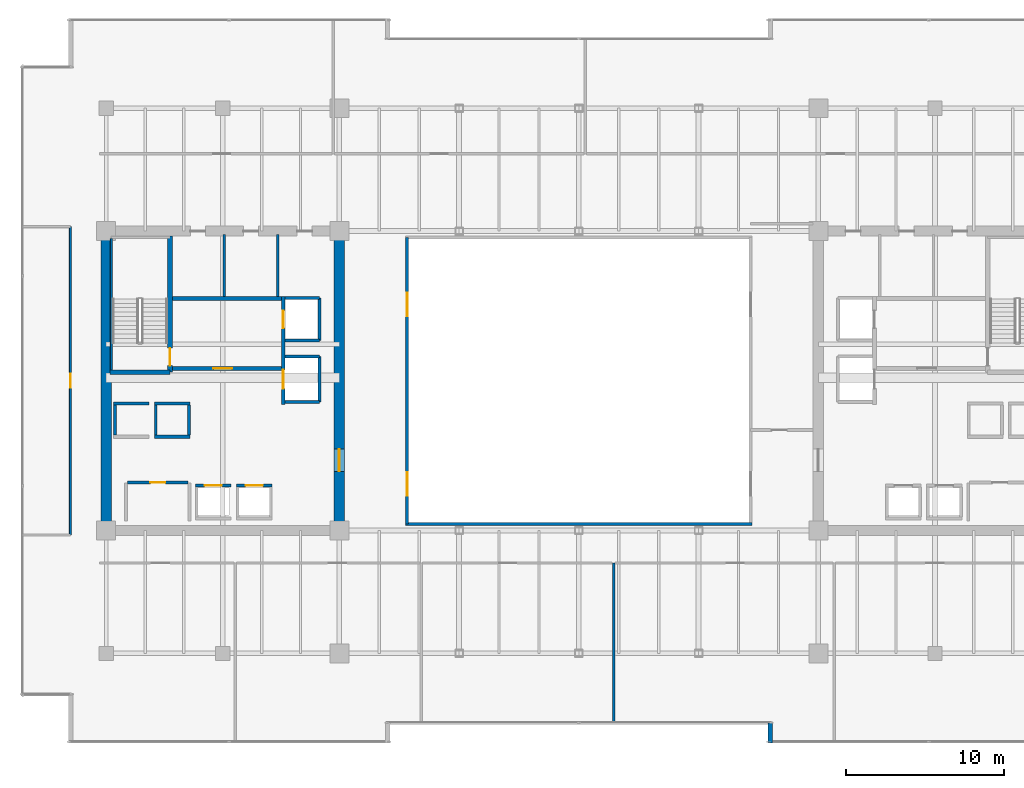
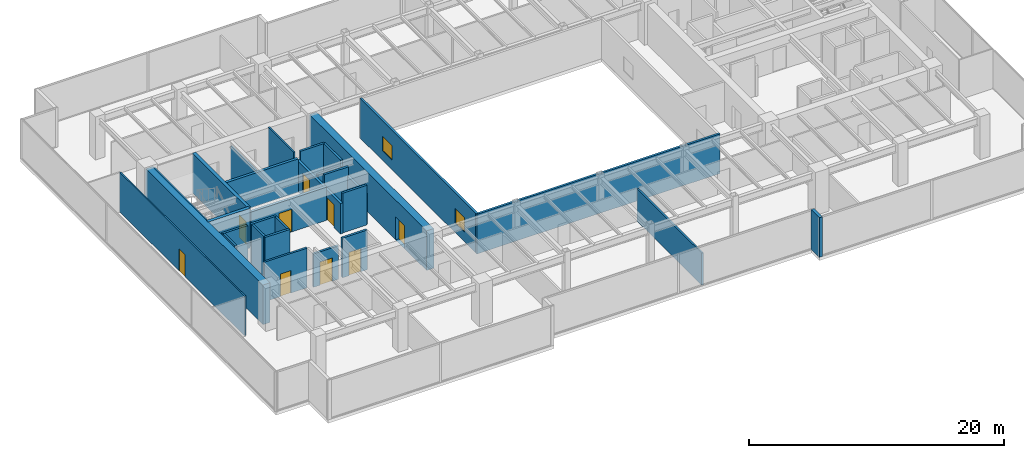
# One storey, part 25 of 30: 30 walls, 9 doors, 2 windows, 11 openings.
"""IFC4 building model written with IfcOpenShell, lengths in metres."""

from ifc_helpers import new_model, si_unit, direction, frame, frame_2d, origin, place, context, subcontext, project, spatial, rectangle, extrude, source, transform, mapped, material, layer, layer_set, type_object, type_shapes, element, fill, save


model = new_model("IFC4")

# Units and contexts
model_context = context("Model", 3, precision=1e-05, world=origin(), true_north=direction((0.0, 1.0)))
body_context = subcontext(model_context, "Body", "Model", "MODEL_VIEW")
ifc_project = project(units=[si_unit("LENGTHUNIT", "METRE"), si_unit("AREAUNIT", "SQUARE_METRE"), si_unit("VOLUMEUNIT", "CUBIC_METRE"), si_unit("PLANEANGLEUNIT", "RADIAN"), si_unit("MASSUNIT", "GRAM", prefix="KILO")], contexts=[model_context])

# Site, building, storey
site_placement = place(None, origin())
site = spatial("IfcSite", under=ifc_project, at=site_placement, CompositionType="ELEMENT")
building_placement = place(site_placement, origin())
building = spatial("IfcBuilding", under=site, at=building_placement, Name="Haelvirn Gate Laboratories", CompositionType="ELEMENT")
storey_placement = place(building_placement, frame((0.0, 0.0, 183.0)))
storey = spatial("IfcBuildingStorey", under=building, at=storey_placement, Name="L44", CompositionType="ELEMENT", Elevation=183.0)

# Walls
ifc_material_1 = material(Name="Thermally-broken bronze aluminium rainscreen & mineral wool", Category="aluminium")
ifc_layer_1 = layer(ifc_material_1, 0.280029296875, Name="EW-TERR-280")
ifc_layer_set_1 = layer_set([ifc_layer_1], Name="Thermally-broken bronze aluminium rainscreen & mineral wool")
wall_type_1 = type_object("IfcWallType", Name="EW-TERR-280", PredefinedType="STANDARD", material=ifc_layer_set_1)
wall_1_placement = place(storey_placement, frame((49.5400390625, 2.587890625, 0.0), z_axis=(0.0, 0.0, 1.0), x_axis=(0.0, -1.0, 0.0)))
element("IfcWall", 1, at=wall_1_placement, inside=storey, type_object=wall_type_1, Name="L44 Atrium Recess Bronze Return Wall 03", PredefinedType="STANDARD", context=body_context, shape_type="SweptSolid", body=[
    extrude(rectangle(XDim=1.287841796875, YDim=0.280029296875, at=frame_2d((0.64404296875, 0.0))), origin(), (0.0, 0.0, 1.0), 3.7900390625),
])
ifc_material_2 = material(Name="Double-layer acoustic gypsum laboratory partition", Category="gypsum")
ifc_layer_2 = layer(ifc_material_2, 0.159912109375, Name="IW-ACOUST-160")
ifc_layer_set_2 = layer_set([ifc_layer_2], Name="Double-layer acoustic gypsum laboratory partition")
wall_type_2 = type_object("IfcWallType", Name="IW-ACOUST-160", PredefinedType="PARTITIONING", material=ifc_layer_set_2)
wall_2_placement = place(storey_placement, frame((39.60009765625, 2.610107421875, 0.0), z_axis=(0.0, 0.0, 1.0), x_axis=(0.0, 1.0, 0.0)))
element("IfcWall", 2, at=wall_2_placement, inside=storey, type_object=wall_type_2, Name="L44 Interior Wall IW-L44-SDIV-03", PredefinedType="PARTITIONING", context=body_context, shape_type="SweptSolid", body=[
    extrude(rectangle(XDim=10.1298828125, YDim=0.159912109375, at=frame_2d((5.06494140625, 0.0))), origin(), (0.0, 0.0, 1.0), 3.074951171875),
])

# Wall, openings, windows
ifc_material_3 = material(Name="Tempered fire-rated borosilicate glass & anodised aluminium", Category="aluminium")
ifc_layer_3 = layer(ifc_material_3, 0.195068359375, Name="IW-GLAZ-200")
ifc_layer_set_3 = layer_set([ifc_layer_3], Name="Tempered fire-rated borosilicate glass & anodised aluminium")
wall_type_3 = type_object("IfcWallType", Name="IW-GLAZ-200", PredefinedType="SOLIDWALL", material=ifc_layer_set_3)
wall_3_placement = place(storey_placement, frame((26.5, 15.199951171875, 0.0), z_axis=(0.0, 0.0, 1.0), x_axis=(0.0, 1.0, 0.0)))
wall_3 = element("IfcWall", 3, at=wall_3_placement, inside=storey, type_object=wall_type_3, Name="L44 Interior Wall IW-L44-ATRIUM-W", PredefinedType="SOLIDWALL", context=body_context, shape_type="SweptSolid", body=[
    extrude(rectangle(XDim=18.199951171875, YDim=0.195068359375, at=frame_2d((9.10009765625, 0.0))), origin(), (0.0, 0.0, 1.0), 3.7900390625),
])
opening_1_placement = place(wall_3_placement, frame((1.800048828125, 0.0, 0.89990234375)))
opening_1 = element("IfcOpeningElement", 4, at=opening_1_placement, cuts=wall_3, Name="Opening W5", PredefinedType="OPENING", context=body_context, shape_type="SweptSolid", body=[
    extrude(rectangle(XDim=1.5, YDim=1.39990234375, at=frame_2d((0.75, 0.699951171875))), frame((0.0, 0.107421875, 0.0), z_axis=(0.0, -1.0, 0.0), x_axis=(1.0, 0.0, 0.0)), (0.0, 0.0, 1.0), 0.215087890625),
])
opening_2_placement = place(wall_3_placement, frame((13.199951171875, 0.0, 0.89990234375)))
opening_2 = element("IfcOpeningElement", 5, at=opening_2_placement, cuts=wall_3, Name="Opening W5", PredefinedType="OPENING", context=body_context, shape_type="SweptSolid", body=[
    extrude(rectangle(XDim=1.5, YDim=1.39990234375, at=frame_2d((0.75, 0.699951171875))), frame((0.0, 0.107421875, 0.0), z_axis=(0.0, -1.0, 0.0), x_axis=(1.0, 0.0, 0.0)), (0.0, 0.0, 1.0), 0.215087890625),
])
ifc_material_4 = material(Name="Fire-rated EI 120 borosilicate atrium vision glazing", Category="glass")
window_type = type_object("IfcWindowType", Name="WN-ATR-1500", PartitioningType="SINGLE_PANEL", PredefinedType="WINDOW", material=ifc_material_4)
shared_shape_1 = source(origin(), body_context, "Body", "SweptSolid", [
    extrude(rectangle(XDim=1.5, YDim=1.39990234375, at=frame_2d((0.75, 0.699951171875))), frame((0.0, 0.030029296875, 0.0), z_axis=(0.0, -1.0, 0.0), x_axis=(1.0, 0.0, 0.0)), (0.0, 0.0, 1.0), 0.06005859375),
])
type_shapes(window_type, [shared_shape_1])
window_1_placement = place(opening_1_placement, origin())
window_1 = element("IfcWindow", 6, at=window_1_placement, inside=storey, type_object=window_type, Name="L44 Atrium Observation Window 1", OverallHeight=1.39990234375, OverallWidth=1.5, PartitioningType="SINGLE_PANEL", PredefinedType="WINDOW", context=body_context, shape_type="MappedRepresentation", body=[
    mapped(shared_shape_1, transform((0.0, 0.0, 0.0), scale=1.0)),
])
fill(opening_1, window_1)
window_2_placement = place(opening_2_placement, origin())
window_2 = element("IfcWindow", 7, at=window_2_placement, inside=storey, type_object=window_type, Name="L44 Atrium Observation Window 2", OverallHeight=1.39990234375, OverallWidth=1.5, PartitioningType="SINGLE_PANEL", PredefinedType="WINDOW", context=body_context, shape_type="MappedRepresentation", body=[
    mapped(shared_shape_1, transform((0.0, 0.0, 0.0), scale=1.0)),
])
fill(opening_2, window_2)

# Wall
wall_4_placement = place(storey_placement, frame((26.39990234375, 15.199951171875, 0.0), z_axis=(0.0, 0.0, 1.0), x_axis=(1.0, 0.0, 0.0)))
element("IfcWall", 8, at=wall_4_placement, inside=storey, type_object=wall_type_3, Name="L44 Interior Wall IW-L44-ATRIUM-S", PredefinedType="SOLIDWALL", context=body_context, shape_type="SweptSolid", body=[
    extrude(rectangle(XDim=22.0, YDim=0.195068359375, at=frame_2d((11.0, 0.0))), origin(), (0.0, 0.0, 1.0), 3.7900390625),
])

# Wall, opening, door
ifc_material_5 = material(Name="Lightweight acoustic gypsum board partition", Category="gypsum")
ifc_layer_4 = layer(ifc_material_5, 0.1201171875, Name="IW-PART-120")
ifc_layer_set_4 = layer_set([ifc_layer_4], Name="Lightweight acoustic gypsum board partition")
wall_type_4 = type_object("IfcWallType", Name="IW-PART-120", PredefinedType="PARTITIONING", material=ifc_layer_set_4)
wall_5_placement = place(storey_placement, frame((5.1298828125, 14.514892578125, 0.0), z_axis=(0.0, 0.0, 1.0), x_axis=(0.0, 1.0, 0.0)))
wall_5 = element("IfcWall", 9, at=wall_5_placement, inside=storey, type_object=wall_type_4, Name="L44 Interior Wall IW-L44-WPASS-01", PredefinedType="PARTITIONING", context=body_context, shape_type="SweptSolid", body=[
    extrude(rectangle(XDim=19.570068359375, YDim=0.1201171875, at=frame_2d((9.78515625, 0.0))), origin(), (0.0, 0.0, 1.0), 3.7900390625),
])
opening_3_placement = place(wall_5_placement, frame((9.3349609375, 0.0, 0.0)))
opening_3 = element("IfcOpeningElement", 10, at=opening_3_placement, cuts=wall_5, Name="Opening D4", PredefinedType="OPENING", context=body_context, shape_type="SweptSolid", body=[
    extrude(rectangle(XDim=0.89990234375, YDim=2.10009765625, at=frame_2d((0.449951171875, 1.050048828125))), frame((0.0, 0.070068359375, 0.0), z_axis=(0.0, -1.0, 0.0), x_axis=(1.0, 0.0, 0.0)), (0.0, 0.0, 1.0), 0.14013671875),
])
ifc_material_6 = material(Name="Glazed aluminium-framed write-up door", Category="aluminium")
door_type_1 = type_object("IfcDoorType", Name="DR-OFF-900", OperationType="NOTDEFINED", PredefinedType="DOOR", material=ifc_material_6)
shared_shape_2 = source(origin(), body_context, "Body", "SweptSolid", [
    extrude(rectangle(XDim=0.89990234375, YDim=2.10009765625, at=frame_2d((0.449951171875, 1.050048828125))), frame((0.0, 0.02490234375, 0.0), z_axis=(0.0, -1.0, 0.0), x_axis=(1.0, 0.0, 0.0)), (0.0, 0.0, 1.0), 0.050048828125),
])
type_shapes(door_type_1, [shared_shape_2])
door_1_placement = place(opening_3_placement, origin())
door_1 = element("IfcDoor", 11, at=door_1_placement, inside=storey, type_object=door_type_1, Name="L44 Protocol Briefing Training Room Door W1", OperationType="SINGLE_SWING_LEFT", OverallHeight=2.10009765625, OverallWidth=0.89990234375, PredefinedType="DOOR", context=body_context, shape_type="MappedRepresentation", body=[
    mapped(shared_shape_2, transform((0.0, 0.0, 0.0), scale=1.0)),
])
fill(opening_3, door_1)

# Walls
ifc_material_7 = material(Name="Cement-board restroom plumbing chase wall", Category="gypsum")
ifc_layer_5 = layer(ifc_material_7, 0.155029296875, Name="IW-PLUMB-160")
ifc_layer_set_5 = layer_set([ifc_layer_5], Name="Cement-board restroom plumbing chase wall")
wall_type_5 = type_object("IfcWallType", Name="IW-PLUMB-160", PredefinedType="PLUMBINGWALL", material=ifc_layer_set_5)
wall_6_placement = place(storey_placement, frame((14.889892578125, 29.64990234375, 0.0), z_axis=(0.0, 0.0, 1.0), x_axis=(0.0, 1.0, 0.0)))
element("IfcWall", 12, at=wall_6_placement, inside=storey, type_object=wall_type_5, Name="L44 Interior Wall IW-L44-W-CDIV-1", PredefinedType="PLUMBINGWALL", context=body_context, shape_type="SweptSolid", body=[
    extrude(rectangle(XDim=3.93017578125, YDim=0.155029296875, at=frame_2d((1.965087890625, 0.0))), origin(), (0.0, 0.0, 1.0), 3.18701171875),
])
wall_7_placement = place(storey_placement, frame((18.2900390625, 29.64990234375, 0.0), z_axis=(0.0, 0.0, 1.0), x_axis=(0.0, 1.0, 0.0)))
element("IfcWall", 13, at=wall_7_placement, inside=storey, type_object=wall_type_5, Name="L44 Interior Wall IW-L44-W-CDIV-2", PredefinedType="PLUMBINGWALL", context=body_context, shape_type="SweptSolid", body=[
    extrude(rectangle(XDim=3.93017578125, YDim=0.155029296875, at=frame_2d((1.965087890625, 0.0))), origin(), (0.0, 0.0, 1.0), 3.7900390625),
])
ifc_material_8 = material(Name="Concrete C40/50", Category="concrete")
ifc_layer_6 = layer(ifc_material_8, 0.179931640625, Name="IW-SHAFT-180")
ifc_layer_set_6 = layer_set([ifc_layer_6], Name="Concrete C40/50")
wall_type_6 = type_object("IfcWallType", Name="IW-SHAFT-180", PredefinedType="SOLIDWALL", material=ifc_layer_set_6)
for number, where, z_axis, x_axis, name in (
    (14, (7.949951171875, 20.85009765625, 0.0), (0.0, 0.0, 1.0), (0.0, 1.0, 0.0), "L44 Interior Wall IW-L44-PL9-SD"),
    (15, (10.550048828125, 20.85009765625, 0.0), (0.0, 0.0, 1.0), (0.0, 1.0, 0.0), "L44 Interior Wall IW-L44-PL10-SD"),
    (16, (12.64990234375, 20.85009765625, 0.0), (0.0, 0.0, 1.0), (0.0, 1.0, 0.0), "L44 Interior Wall IW-L44-PL10-SDE"),
):
    element("IfcWall", number, at=place(storey_placement, frame(where, z_axis=z_axis, x_axis=x_axis)), inside=storey, type_object=wall_type_6, Name=name, PredefinedType="SOLIDWALL", context=body_context, shape_type="SweptSolid", body=[
        extrude(rectangle(XDim=1.89990234375, YDim=0.179931640625, at=frame_2d((0.949951171875, 0.0))), origin(), (0.0, 0.0, 1.0), 3.7900390625),
    ])

# Wall, opening, door
wall_8_placement = place(storey_placement, frame((8.75, 17.85009765625, 0.0), z_axis=(0.0, 0.0, 1.0), x_axis=(1.0, 0.0, 0.0)))
wall_8 = element("IfcWall", 17, at=wall_8_placement, inside=storey, type_object=wall_type_6, Name="L44 Interior Wall IW-L44-W-FREED-LN-1", PredefinedType="SOLIDWALL", context=body_context, shape_type="SweptSolid", body=[
    extrude(rectangle(XDim=3.85009765625, YDim=0.179931640625, at=frame_2d((1.925048828125, 0.0))), origin(), (0.0, 0.0, 1.0), 3.7900390625),
])
opening_4_placement = place(wall_8_placement, frame((1.449951171875, 0.0, 0.0)))
opening_4 = element("IfcOpeningElement", 18, at=opening_4_placement, cuts=wall_8, Name="Opening FD4", PredefinedType="OPENING", context=body_context, shape_type="SweptSolid", body=[
    extrude(rectangle(XDim=0.949951171875, YDim=2.14990234375, at=frame_2d((0.47509765625, 1.074951171875))), frame((0.0, 0.10009765625, 0.0), z_axis=(0.0, -1.0, 0.0), x_axis=(1.0, 0.0, 0.0)), (0.0, 0.0, 1.0), 0.199951171875),
])
ifc_material_9 = material(Name="Fire-rated steel SM355 core service door", Category="steel")
door_type_2 = type_object("IfcDoorType", Name="DR-FD-950", OperationType="NOTDEFINED", PredefinedType="DOOR", material=ifc_material_9)
shared_shape_3 = source(origin(), body_context, "Body", "SweptSolid", [
    extrude(rectangle(XDim=0.949951171875, YDim=2.14990234375, at=frame_2d((0.47509765625, 1.074951171875))), frame((0.0, 0.02490234375, 0.0), z_axis=(0.0, -1.0, 0.0), x_axis=(1.0, 0.0, 0.0)), (0.0, 0.0, 1.0), 0.050048828125),
])
type_shapes(door_type_2, [shared_shape_3])
door_2_placement = place(opening_4_placement, origin())
door_2 = element("IfcDoor", 19, at=door_2_placement, inside=storey, type_object=door_type_2, Name="L44 Cryo-Dewar & Sterile Glassware Room Door", OperationType="SINGLE_SWING_LEFT", OverallHeight=2.14990234375, OverallWidth=0.949951171875, PredefinedType="DOOR", context=body_context, shape_type="MappedRepresentation", body=[
    mapped(shared_shape_3, transform((0.0, 0.0, 0.0), scale=1.0)),
])
fill(opening_4, door_2)

ifc_layer_7 = layer(ifc_material_8, 0.199951171875, Name="IW-SHAFT-200")
ifc_layer_set_7 = layer_set([ifc_layer_7], Name="Concrete C40/50")
wall_type_7 = type_object("IfcWallType", Name="IW-SHAFT-200", PredefinedType="SOLIDWALL", material=ifc_layer_set_7)
wall_9_placement = place(storey_placement, frame((13.070068359375, 17.64990234375, 0.0), z_axis=(0.0, 0.0, 1.0), x_axis=(1.0, 0.0, 0.0)))
wall_9 = element("IfcWall", 20, at=wall_9_placement, inside=storey, type_object=wall_type_7, Name="L44 Interior Wall IW-L44-PL5-FR", PredefinedType="SOLIDWALL", context=body_context, shape_type="SweptSolid", body=[
    extrude(rectangle(XDim=2.260009765625, YDim=0.199951171875, at=frame_2d((1.1298828125, 0.0))), origin(), (0.0, 0.0, 1.0), 3.18701171875),
])
opening_5_placement = place(wall_9_placement, frame((0.580078125, 0.0, 0.0)))
opening_5 = element("IfcOpeningElement", 21, at=opening_5_placement, cuts=wall_9, Name="Opening LD2", PredefinedType="OPENING", context=body_context, shape_type="SweptSolid", body=[
    extrude(rectangle(XDim=1.10009765625, YDim=2.219970703125, at=frame_2d((0.550048828125, 1.10986328125))), frame((0.0, 0.10986328125, 0.0), z_axis=(0.0, -1.0, 0.0), x_axis=(1.0, 0.0, 0.0)), (0.0, 0.0, 1.0), 0.219970703125),
])
ifc_material_10 = material(Name="Bronze stainless 316L sliding lift landing door")
door_type_3 = type_object("IfcDoorType", Name="DR-LD-1100", OperationType="NOTDEFINED", PredefinedType="USERDEFINED", material=ifc_material_10)
shared_shape_4 = source(origin(), body_context, "Body", "SweptSolid", [
    extrude(rectangle(XDim=1.10009765625, YDim=2.219970703125, at=frame_2d((0.550048828125, 1.10986328125))), frame((0.0, 0.02490234375, 0.0), z_axis=(0.0, -1.0, 0.0), x_axis=(1.0, 0.0, 0.0)), (0.0, 0.0, 1.0), 0.050048828125),
])
type_shapes(door_type_3, [shared_shape_4])
door_3_placement = place(opening_5_placement, origin())
door_3 = element("IfcDoor", 22, at=door_3_placement, inside=storey, type_object=door_type_3, Name="L44 Passenger Lift PL5 Landing Door", ObjectType="LANDING_DOOR", OperationType="SLIDING_TO_LEFT", OverallHeight=2.219970703125, OverallWidth=1.10009765625, PredefinedType="USERDEFINED", context=body_context, shape_type="MappedRepresentation", body=[
    mapped(shared_shape_4, transform((0.0, 0.0, 0.0), scale=1.0)),
])
fill(opening_5, door_3)

wall_10_placement = place(storey_placement, frame((15.669921875, 17.64990234375, 0.0), z_axis=(0.0, 0.0, 1.0), x_axis=(1.0, 0.0, 0.0)))
wall_10 = element("IfcWall", 23, at=wall_10_placement, inside=storey, type_object=wall_type_7, Name="L44 Interior Wall IW-L44-PL6-FR", PredefinedType="SOLIDWALL", context=body_context, shape_type="SweptSolid", body=[
    extrude(rectangle(XDim=2.260009765625, YDim=0.199951171875, at=frame_2d((1.1298828125, 0.0))), origin(), (0.0, 0.0, 1.0), 3.7900390625),
])
opening_6_placement = place(wall_10_placement, frame((0.580078125, 0.0, 0.0)))
opening_6 = element("IfcOpeningElement", 24, at=opening_6_placement, cuts=wall_10, Name="Opening LD2", PredefinedType="OPENING", context=body_context, shape_type="SweptSolid", body=[
    extrude(rectangle(XDim=1.10009765625, YDim=2.219970703125, at=frame_2d((0.550048828125, 1.10986328125))), frame((0.0, 0.10986328125, 0.0), z_axis=(0.0, -1.0, 0.0), x_axis=(1.0, 0.0, 0.0)), (0.0, 0.0, 1.0), 0.219970703125),
])
door_4_placement = place(opening_6_placement, origin())
door_4 = element("IfcDoor", 25, at=door_4_placement, inside=storey, type_object=door_type_3, Name="L44 Passenger Lift PL6 Landing Door", ObjectType="LANDING_DOOR", OperationType="SLIDING_TO_RIGHT", OverallHeight=2.219970703125, OverallWidth=1.10009765625, PredefinedType="USERDEFINED", context=body_context, shape_type="MappedRepresentation", body=[
    mapped(shared_shape_4, transform((0.0, 0.0, 0.0), scale=1.0)),
])
fill(opening_6, door_4)

# Walls
wall_11_placement = place(storey_placement, frame((7.8701171875, 22.85009765625, 0.0), z_axis=(0.0, 0.0, 1.0), x_axis=(1.0, 0.0, 0.0)))
element("IfcWall", 26, at=wall_11_placement, inside=storey, type_object=wall_type_7, Name="L44 Interior Wall IW-L44-PL9-BK", PredefinedType="SOLIDWALL", context=body_context, shape_type="SweptSolid", body=[
    extrude(rectangle(XDim=2.259765625, YDim=0.199951171875, at=frame_2d((1.1298828125, 0.0))), origin(), (0.0, 0.0, 1.0), 3.7900390625),
])
for number, where, z_axis, x_axis, name in (
    (27, (10.469970703125, 20.75, 0.0), (0.0, 0.0, 1.0), (1.0, 0.0, 0.0), "L44 Interior Wall IW-L44-PL10-FR"),
    (28, (10.469970703125, 22.85009765625, 0.0), (0.0, 0.0, 1.0), (1.0, 0.0, 0.0), "L44 Interior Wall IW-L44-PL10-BK"),
):
    element("IfcWall", number, at=place(storey_placement, frame(where, z_axis=z_axis, x_axis=x_axis)), inside=storey, type_object=wall_type_7, Name=name, PredefinedType="SOLIDWALL", context=body_context, shape_type="SweptSolid", body=[
        extrude(rectangle(XDim=2.260009765625, YDim=0.199951171875, at=frame_2d((1.1298828125, 0.0))), origin(), (0.0, 0.0, 1.0), 3.7900390625),
    ])
wall_12_placement = place(storey_placement, frame((20.949951171875, 26.85009765625, 0.0), z_axis=(0.0, 0.0, 1.0), x_axis=(0.0, 1.0, 0.0)))
element("IfcWall", 29, at=wall_12_placement, inside=storey, type_object=wall_type_7, Name="L44 Interior Wall IW-L44-FL1-BK", PredefinedType="SOLIDWALL", context=body_context, shape_type="SweptSolid", body=[
    extrude(rectangle(XDim=2.699951171875, YDim=0.199951171875, at=frame_2d((1.35009765625, 0.0))), origin(), (0.0, 0.0, 1.0), 3.7900390625),
])
wall_13_placement = place(storey_placement, frame((18.760009765625, 29.550048828125, 0.0), z_axis=(0.0, 0.0, 1.0), x_axis=(1.0, 0.0, 0.0)))
element("IfcWall", 30, at=wall_13_placement, inside=storey, type_object=wall_type_7, Name="L44 Interior Wall IW-L44-FL1-N", PredefinedType="SOLIDWALL", context=body_context, shape_type="SweptSolid", body=[
    extrude(rectangle(XDim=2.18994140625, YDim=0.199951171875, at=frame_2d((1.094970703125, 0.0))), origin(), (0.0, 0.0, 1.0), 3.7900390625),
])
wall_14_placement = place(storey_placement, frame((18.760009765625, 26.85009765625, 0.0), z_axis=(0.0, 0.0, 1.0), x_axis=(1.0, 0.0, 0.0)))
element("IfcWall", 31, at=wall_14_placement, inside=storey, type_object=wall_type_7, Name="L44 Interior Wall IW-L44-FL1-S", PredefinedType="SOLIDWALL", context=body_context, shape_type="SweptSolid", body=[
    extrude(rectangle(XDim=2.18994140625, YDim=0.199951171875, at=frame_2d((1.094970703125, 0.0))), origin(), (0.0, 0.0, 1.0), 3.18701171875),
])
wall_15_placement = place(storey_placement, frame((20.949951171875, 22.949951171875, 0.0), z_axis=(0.0, 0.0, 1.0), x_axis=(0.0, 1.0, 0.0)))
element("IfcWall", 32, at=wall_15_placement, inside=storey, type_object=wall_type_7, Name="L44 Interior Wall IW-L44-SL1-BK", PredefinedType="SOLIDWALL", context=body_context, shape_type="SweptSolid", body=[
    extrude(rectangle(XDim=2.900146484375, YDim=0.199951171875, at=frame_2d((1.4501953125, 0.0))), origin(), (0.0, 0.0, 1.0), 2.925048828125),
])
for number, where, z_axis, x_axis, name in (
    (33, (18.760009765625, 25.85009765625, 0.0), (0.0, 0.0, 1.0), (1.0, 0.0, 0.0), "L44 Interior Wall IW-L44-SL1-N"),
    (34, (18.760009765625, 22.949951171875, 0.0), (0.0, 0.0, 1.0), (1.0, 0.0, 0.0), "L44 Interior Wall IW-L44-SL1-S"),
):
    element("IfcWall", number, at=place(storey_placement, frame(where, z_axis=z_axis, x_axis=x_axis)), inside=storey, type_object=wall_type_7, Name=name, PredefinedType="SOLIDWALL", context=body_context, shape_type="SweptSolid", body=[
        extrude(rectangle(XDim=2.18994140625, YDim=0.199951171875, at=frame_2d((1.094970703125, 0.0))), origin(), (0.0, 0.0, 1.0), 3.7900390625),
    ])

# Wall, opening, door
ifc_layer_8 = layer(ifc_material_8, 0.239990234375, Name="IW-SHAFT-240")
ifc_layer_set_8 = layer_set([ifc_layer_8], Name="Concrete C40/50")
wall_type_8 = type_object("IfcWallType", Name="IW-SHAFT-240", PredefinedType="SOLIDWALL", material=ifc_layer_set_8)
wall_16_placement = place(storey_placement, frame((11.60009765625, 25.080078125, 0.0), z_axis=(0.0, 0.0, 1.0), x_axis=(1.0, 0.0, 0.0)))
wall_16 = element("IfcWall", 35, at=wall_16_placement, inside=storey, type_object=wall_type_8, Name="L44 Interior Wall IW-L44-W-FF-S", PredefinedType="SOLIDWALL", context=body_context, shape_type="SweptSolid", body=[
    extrude(rectangle(XDim=6.919921875, YDim=0.239990234375, at=frame_2d((3.4599609375, 0.0))), origin(), (0.0, 0.0, 1.0), 3.18701171875),
])
opening_7_placement = place(wall_16_placement, frame((2.60009765625, 0.0, 0.0)))
opening_7 = element("IfcOpeningElement", 36, at=opening_7_placement, cuts=wall_16, Name="Opening FD2", PredefinedType="OPENING", context=body_context, shape_type="SweptSolid", body=[
    extrude(rectangle(XDim=1.199951171875, YDim=2.159912109375, at=frame_2d((0.60009765625, 1.080078125))), frame((0.0, 0.1298828125, 0.0), z_axis=(0.0, -1.0, 0.0), x_axis=(1.0, 0.0, 0.0)), (0.0, 0.0, 1.0), 0.260009765625),
])
ifc_material_11 = material(Name="Fire-rated steel SM355 compartment door", Category="steel")
door_type_4 = type_object("IfcDoorType", Name="DR-FD-1200", OperationType="NOTDEFINED", PredefinedType="DOOR", material=ifc_material_11)
shared_shape_5 = source(origin(), body_context, "Body", "SweptSolid", [
    extrude(rectangle(XDim=1.199951171875, YDim=2.159912109375, at=frame_2d((0.60009765625, 1.080078125))), frame((0.0, 0.02490234375, 0.0), z_axis=(0.0, -1.0, 0.0), x_axis=(1.0, 0.0, 0.0)), (0.0, 0.0, 1.0), 0.050048828125),
])
type_shapes(door_type_4, [shared_shape_5])
door_5_placement = place(opening_7_placement, origin())
door_5 = element("IfcDoor", 37, at=door_5_placement, inside=storey, type_object=door_type_4, Name="L44 West Firefighting Lobby Door", OperationType="SINGLE_SWING_RIGHT", OverallHeight=2.159912109375, OverallWidth=1.199951171875, PredefinedType="DOOR", context=body_context, shape_type="MappedRepresentation", body=[
    mapped(shared_shape_5, transform((0.0, 0.0, 0.0), scale=1.0)),
])
fill(opening_7, door_5)

# Wall
wall_17_placement = place(storey_placement, frame((11.60009765625, 29.52001953125, 0.0), z_axis=(0.0, 0.0, 1.0), x_axis=(1.0, 0.0, 0.0)))
element("IfcWall", 38, at=wall_17_placement, inside=storey, type_object=wall_type_8, Name="L44 Interior Wall IW-L44-W-FF-N", PredefinedType="SOLIDWALL", context=body_context, shape_type="SweptSolid", body=[
    extrude(rectangle(XDim=6.919921875, YDim=0.239990234375, at=frame_2d((3.4599609375, 0.0))), origin(), (0.0, 0.0, 1.0), 3.18701171875),
])

# Wall, openings, doors
wall_18_placement = place(storey_placement, frame((18.639892578125, 22.800048828125, 0.0), z_axis=(0.0, 0.0, 1.0), x_axis=(0.0, 1.0, 0.0)))
wall_18 = element("IfcWall", 39, at=wall_18_placement, inside=storey, type_object=wall_type_8, Name="L44 Interior Wall IW-L44-W-FF-E", PredefinedType="SOLIDWALL", context=body_context, shape_type="SweptSolid", body=[
    extrude(rectangle(XDim=6.849853515625, YDim=0.239990234375, at=frame_2d((3.4248046875, 0.0))), origin(), (0.0, 0.0, 1.0), 2.925048828125),
])
opening_8_placement = place(wall_18_placement, frame((4.85009765625, 0.0, 0.0)))
opening_8 = element("IfcOpeningElement", 40, at=opening_8_placement, cuts=wall_18, Name="Opening LD2", PredefinedType="OPENING", context=body_context, shape_type="SweptSolid", body=[
    extrude(rectangle(XDim=1.10009765625, YDim=2.219970703125, at=frame_2d((0.550048828125, 1.10986328125))), frame((0.0, 0.1298828125, 0.0), z_axis=(0.0, -1.0, 0.0), x_axis=(1.0, 0.0, 0.0)), (0.0, 0.0, 1.0), 0.260009765625),
])
opening_9_placement = place(wall_18_placement, frame((1.0, 0.0, 0.0)))
opening_9 = element("IfcOpeningElement", 41, at=opening_9_placement, cuts=wall_18, Name="Opening LD1", PredefinedType="OPENING", context=body_context, shape_type="SweptSolid", body=[
    extrude(rectangle(XDim=1.199951171875, YDim=2.219970703125, at=frame_2d((0.60009765625, 1.10986328125))), frame((0.0, 0.1298828125, 0.0), z_axis=(0.0, -1.0, 0.0), x_axis=(1.0, 0.0, 0.0)), (0.0, 0.0, 1.0), 0.260009765625),
])
door_6_placement = place(opening_8_placement, origin())
door_6 = element("IfcDoor", 42, at=door_6_placement, inside=storey, type_object=door_type_3, Name="L44 Firefighting Lift FL1 Landing Door", ObjectType="LANDING_DOOR", OperationType="SLIDING_TO_LEFT", OverallHeight=2.219970703125, OverallWidth=1.10009765625, PredefinedType="USERDEFINED", context=body_context, shape_type="MappedRepresentation", body=[
    mapped(shared_shape_4, transform((0.0, 0.0, 0.0), scale=1.0)),
])
fill(opening_8, door_6)
ifc_material_12 = material(Name="Stainless steel 316L sliding goods landing door", Category="steel")
door_type_5 = type_object("IfcDoorType", Name="DR-LD-1200", OperationType="NOTDEFINED", PredefinedType="USERDEFINED", material=ifc_material_12)
shared_shape_6 = source(origin(), body_context, "Body", "SweptSolid", [
    extrude(rectangle(XDim=1.199951171875, YDim=2.219970703125, at=frame_2d((0.60009765625, 1.10986328125))), frame((0.0, 0.02490234375, 0.0), z_axis=(0.0, -1.0, 0.0), x_axis=(1.0, 0.0, 0.0)), (0.0, 0.0, 1.0), 0.050048828125),
])
type_shapes(door_type_5, [shared_shape_6])
door_7_placement = place(opening_9_placement, origin())
door_7 = element("IfcDoor", 43, at=door_7_placement, inside=storey, type_object=door_type_5, Name="L44 Service Lift SL1 Landing Door", ObjectType="LANDING_DOOR", OperationType="SLIDING_TO_RIGHT", OverallHeight=2.219970703125, OverallWidth=1.199951171875, PredefinedType="USERDEFINED", context=body_context, shape_type="MappedRepresentation", body=[
    mapped(shared_shape_6, transform((0.0, 0.0, 0.0), scale=1.0)),
])
fill(opening_9, door_7)

# Wall
ifc_material_13 = material(Name="Concrete C60/75", Category="concrete")
ifc_layer_9 = layer(ifc_material_13, 0.64990234375, Name="SW-CORE-650")
ifc_layer_set_9 = layer_set([ifc_layer_9], Name="Concrete C60/75")
wall_type_9 = type_object("IfcWallType", Name="SW-CORE-650", PredefinedType="SHEAR", material=ifc_layer_set_9)
wall_19_placement = place(storey_placement, frame((7.39990234375, 15.125, 0.0), z_axis=(0.0, 0.0, 1.0), x_axis=(0.0, 1.0, 0.0)))
element("IfcWall", 44, at=wall_19_placement, inside=storey, type_object=wall_type_9, Name="L44 W Core Shear Wall W", PredefinedType="SHEAR", context=body_context, shape_type="SweptSolid", body=[
    extrude(rectangle(XDim=18.35009765625, YDim=0.64990234375, at=frame_2d((9.175048828125, 0.0))), origin(), (0.0, 0.0, 1.0), 3.7900390625),
])

# Wall, opening, door
wall_20_placement = place(storey_placement, frame((22.199951171875, 15.125, 0.0), z_axis=(0.0, 0.0, 1.0), x_axis=(0.0, 1.0, 0.0)))
wall_20 = element("IfcWall", 45, at=wall_20_placement, inside=storey, type_object=wall_type_9, Name="L44 W Core Shear Wall E", PredefinedType="SHEAR", context=body_context, shape_type="SweptSolid", body=[
    extrude(rectangle(XDim=18.35009765625, YDim=0.64990234375, at=frame_2d((9.175048828125, 0.0))), origin(), (0.0, 0.0, 1.0), 3.7900390625),
])
opening_10_placement = place(wall_20_placement, frame((3.425048828125, 0.0, 0.0)))
opening_10 = element("IfcOpeningElement", 46, at=opening_10_placement, cuts=wall_20, Name="Opening FD1", PredefinedType="OPENING", context=body_context, shape_type="SweptSolid", body=[
    extrude(rectangle(XDim=1.419921875, YDim=2.199951171875, at=frame_2d((0.7099609375, 1.10009765625))), frame((0.0, 0.3349609375, 0.0), z_axis=(0.0, -1.0, 0.0), x_axis=(1.0, 0.0, 0.0)), (0.0, 0.0, 1.0), 0.669921875),
])
ifc_material_14 = material(Name="Fire-rated double steel SM355 lobby door", Category="steel")
door_type_6 = type_object("IfcDoorType", Name="DR-FD-1400", OperationType="NOTDEFINED", PredefinedType="DOOR", material=ifc_material_14)
shared_shape_7 = source(origin(), body_context, "Body", "SweptSolid", [
    extrude(rectangle(XDim=1.419921875, YDim=2.199951171875, at=frame_2d((0.7099609375, 1.10009765625))), frame((0.0, 0.02490234375, 0.0), z_axis=(0.0, -1.0, 0.0), x_axis=(1.0, 0.0, 0.0)), (0.0, 0.0, 1.0), 0.050048828125),
])
type_shapes(door_type_6, [shared_shape_7])
door_8_placement = place(opening_10_placement, origin())
door_8 = element("IfcDoor", 47, at=door_8_placement, inside=storey, type_object=door_type_6, Name="L44 West Core Lift Lobby Fire Door", OperationType="DOUBLE_DOOR_SINGLE_SWING", OverallHeight=2.199951171875, OverallWidth=1.419921875, PredefinedType="DOOR", context=body_context, shape_type="MappedRepresentation", body=[
    mapped(shared_shape_7, transform((0.0, 0.0, 0.0), scale=1.0)),
])
fill(opening_10, door_8)

# Wall
ifc_material_15 = material(Name="Concrete C50/60", Category="concrete")
ifc_layer_10 = layer(ifc_material_15, 0.1201171875, Name="SW-LINER-120")
ifc_layer_set_10 = layer_set([ifc_layer_10], Name="Concrete C50/60")
wall_type_10 = type_object("IfcWallType", Name="SW-LINER-120", PredefinedType="SOLIDWALL", material=ifc_layer_set_10)
wall_21_placement = place(storey_placement, frame((7.72998046875, 25.0, 0.0), z_axis=(0.0, 0.0, 1.0), x_axis=(0.0, 1.0, 0.0)))
element("IfcWall", 48, at=wall_21_placement, inside=storey, type_object=wall_type_10, Name="L44 W Core Stair Shaft Liner Wall OUT", PredefinedType="SOLIDWALL", context=body_context, shape_type="SweptSolid", body=[
    extrude(rectangle(XDim=8.320068359375, YDim=0.1201171875, at=frame_2d((4.16015625, 0.0))), origin(), (0.0, 0.0, 1.0), 3.7900390625),
])

# Wall, opening, door
ifc_layer_11 = layer(ifc_material_15, 0.300048828125, Name="SW-STAIR-300")
ifc_layer_set_11 = layer_set([ifc_layer_11], Name="Concrete C50/60")
wall_type_11 = type_object("IfcWallType", Name="SW-STAIR-300", PredefinedType="SHEAR", material=ifc_layer_set_11)
wall_22_placement = place(storey_placement, frame((11.449951171875, 24.85009765625, 0.0), z_axis=(0.0, 0.0, 1.0), x_axis=(0.0, 1.0, 0.0)))
wall_22 = element("IfcWall", 49, at=wall_22_placement, inside=storey, type_object=wall_type_11, Name="L44 W Core Stair Shaft Structural Wall IN", PredefinedType="SHEAR", context=body_context, shape_type="SweptSolid", body=[
    extrude(rectangle(XDim=8.6298828125, YDim=0.300048828125, at=frame_2d((4.31494140625, 0.0))), origin(), (0.0, 0.0, 1.0), 3.7900390625),
])
opening_11_placement = place(wall_22_placement, frame((0.419921875, 0.0, 0.0)))
opening_11 = element("IfcOpeningElement", 50, at=opening_11_placement, cuts=wall_22, Name="Opening FD3", PredefinedType="OPENING", context=body_context, shape_type="SweptSolid", body=[
    extrude(rectangle(XDim=1.10009765625, YDim=2.14990234375, at=frame_2d((0.550048828125, 1.074951171875))), frame((0.0, 0.16015625, 0.0), z_axis=(0.0, -1.0, 0.0), x_axis=(1.0, 0.0, 0.0)), (0.0, 0.0, 1.0), 0.320068359375),
])
ifc_material_16 = material(Name="Fire-rated steel SM355 escape stair door", Category="steel")
door_type_7 = type_object("IfcDoorType", Name="DR-FD-1100", OperationType="NOTDEFINED", PredefinedType="DOOR", material=ifc_material_16)
shared_shape_8 = source(origin(), body_context, "Body", "SweptSolid", [
    extrude(rectangle(XDim=1.10009765625, YDim=2.14990234375, at=frame_2d((0.550048828125, 1.074951171875))), frame((0.0, 0.02490234375, 0.0), z_axis=(0.0, -1.0, 0.0), x_axis=(1.0, 0.0, 0.0)), (0.0, 0.0, 1.0), 0.050048828125),
])
type_shapes(door_type_7, [shared_shape_8])
door_9_placement = place(opening_11_placement, origin())
door_9 = element("IfcDoor", 51, at=door_9_placement, inside=storey, type_object=door_type_7, Name="L44 Escape Stair ST1 Fire Door", OperationType="SINGLE_SWING_LEFT", OverallHeight=2.14990234375, OverallWidth=1.10009765625, PredefinedType="DOOR", context=body_context, shape_type="MappedRepresentation", body=[
    mapped(shared_shape_8, transform((0.0, 0.0, 0.0), scale=1.0)),
])
fill(opening_11, door_9)

# Wall
wall_23_placement = place(storey_placement, frame((7.64990234375, 24.85009765625, 0.0), z_axis=(0.0, 0.0, 1.0), x_axis=(1.0, 0.0, 0.0)))
element("IfcWall", 52, at=wall_23_placement, inside=storey, type_object=wall_type_11, Name="L44 W Core Stair Shaft Structural Wall S", PredefinedType="SHEAR", context=body_context, shape_type="SweptSolid", body=[
    extrude(rectangle(XDim=3.800048828125, YDim=0.300048828125, at=frame_2d((1.89990234375, 0.0))), origin(), (0.0, 0.0, 1.0), 3.7900390625),
])

save(model, "model.ifc")
